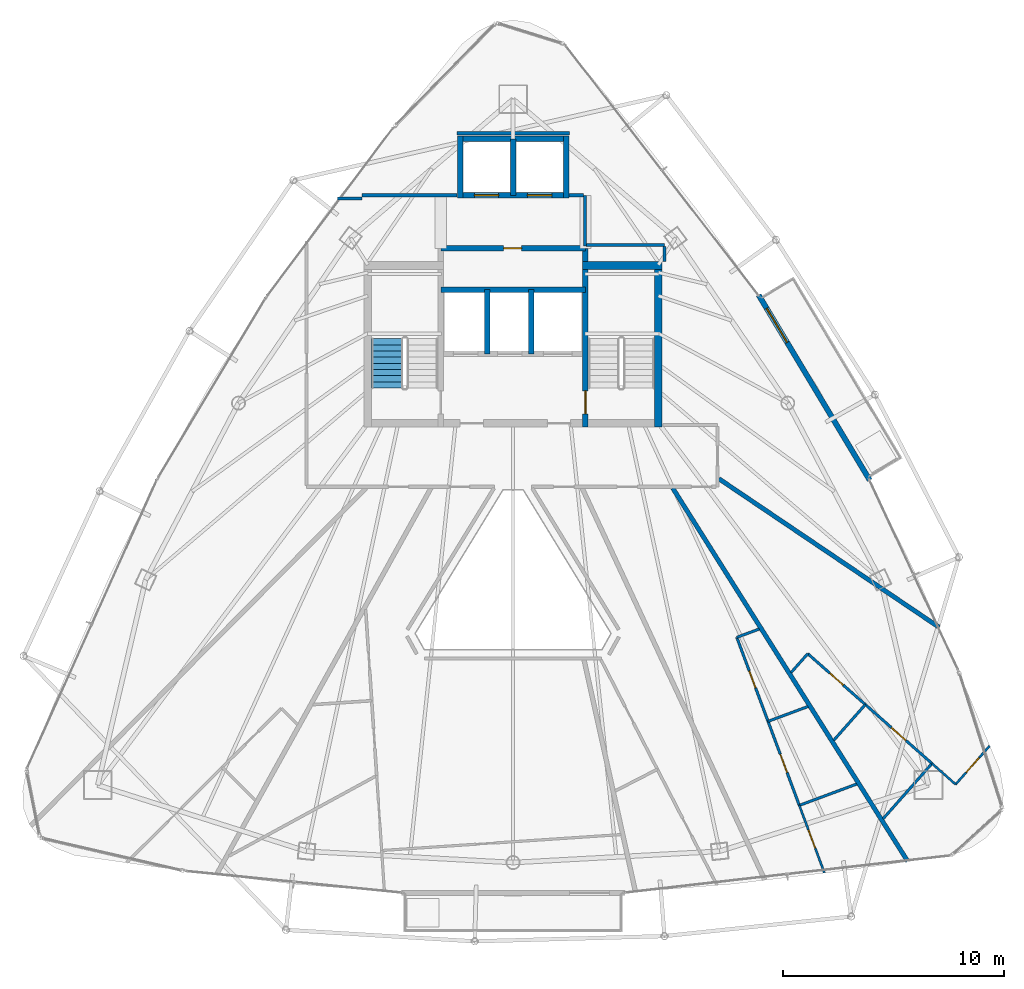
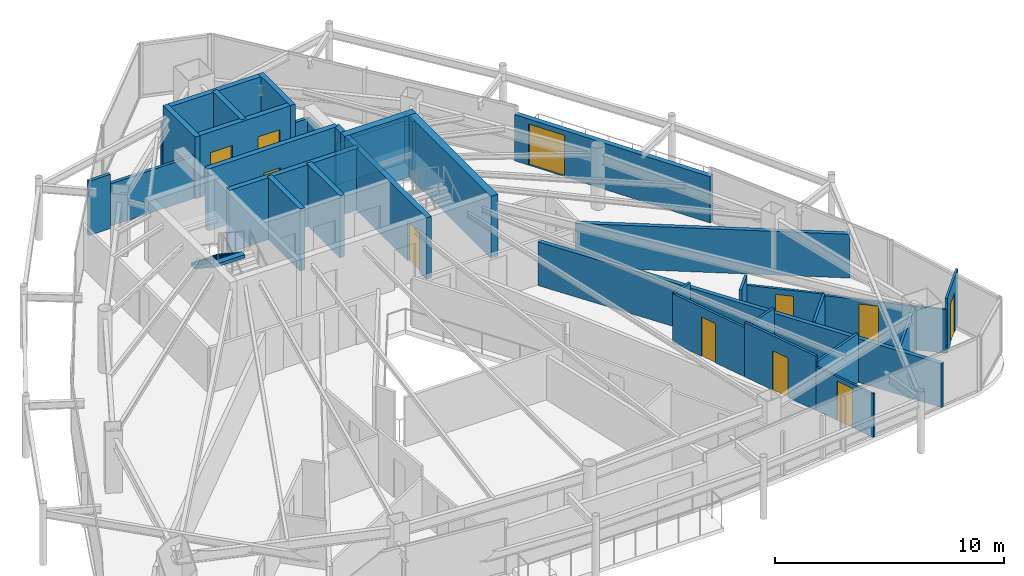
# One storey, part 26 of 29: 35 walls, 11 doors, 1 stair flight, 11 openings, 1 element without a shape of its own.
"""IFC4 building model written with IfcOpenShell, lengths in metres."""

from ifc_helpers import new_model, si_unit, direction, frame, frame_2d, origin, place, context, subcontext, project, spatial, polyline, rectangle, outline, extrude, material, layer, layer_set, type_object, element, fill, aggregate, save


model = new_model("IFC4")

# Units and contexts
model_context = context("Model", 3, precision=1e-05, world=origin(), true_north=direction((0.0, 1.0)))
body_context = subcontext(model_context, "Body", "Model", "MODEL_VIEW")
ifc_project = project(units=[si_unit("LENGTHUNIT", "METRE"), si_unit("AREAUNIT", "SQUARE_METRE"), si_unit("VOLUMEUNIT", "CUBIC_METRE"), si_unit("PLANEANGLEUNIT", "RADIAN"), si_unit("MASSUNIT", "GRAM", prefix="KILO")], contexts=[model_context])

# Site, building, storey
site_placement = place(None, origin())
site = spatial("IfcSite", under=ifc_project, at=site_placement, CompositionType="ELEMENT")
building_placement = place(site_placement, origin())
building = spatial("IfcBuilding", under=site, at=building_placement, Name="Orvanel Arch Residences", CompositionType="ELEMENT")
storey_placement = place(building_placement, frame((0.0, 0.0, 253.550048828125)))
storey = spatial("IfcBuildingStorey", under=building, at=storey_placement, Name="L72", CompositionType="ELEMENT", Elevation=253.550048828125)

# Wall, opening, door
ifc_material_1 = material(Name="Precast concrete N50 (50 MPa)", Category="concrete")
ifc_layer_1 = layer(ifc_material_1, 0.239990234375)
ifc_layer_set_1 = layer_set([ifc_layer_1], Name="Precast concrete N50 (50 MPa)")
wall_type_1 = type_object("IfcWallType", Name="EW-BAL-240", PredefinedType="SOLIDWALL", material=ifc_layer_set_1)
wall_1_placement = place(storey_placement, frame((49.14599609375, 24.14697265625, 0.0), z_axis=(0.0, 0.0, 1.0), x_axis=(-0.514275407092, 0.857625096216, 0.0)))
wall_1 = element("IfcWall", 1, at=wall_1_placement, inside=storey, type_object=wall_type_1, Name="L72 Balcony Threshold Wall Face 3", PredefinedType="SOLIDWALL", context=body_context, shape_type="SweptSolid", body=[
    extrude(rectangle(XDim=9.777099609375, YDim=0.239990234375, at=frame_2d((4.888671875, 0.0))), origin(), (0.0, 0.0, 1.0), 2.4638671875),
])
opening_1_placement = place(wall_1_placement, frame((7.279052734375, 0.0, 0.0)))
opening_1 = element("IfcOpeningElement", 2, at=opening_1_placement, cuts=wall_1, Name="Opening DB-180", PredefinedType="OPENING", context=body_context, shape_type="SweptSolid", body=[
    extrude(rectangle(XDim=1.800048828125, YDim=2.199951171875, at=frame_2d((0.89990234375, 1.10009765625))), frame((0.0, 0.1298828125, 0.0), z_axis=(0.0, -1.0, 0.0), x_axis=(1.0, 0.0, 0.0)), (0.0, 0.0, 1.0), 0.260009765625),
])
ifc_material_2 = material(Name="Bronze-anodised aluminium AA6063-T6", Category="aluminium")
door_type_1 = type_object("IfcDoorType", Name="DR-BAL-1800", OperationType="NOTDEFINED", PredefinedType="DOOR", material=ifc_material_2)
door_1_placement = place(opening_1_placement, origin())
door_1 = element("IfcDoor", 3, at=door_1_placement, inside=storey, type_object=door_type_1, Name="DR-L72-BAL-F3 L72 Planted Balcony Access Door Face 3", OperationType="SINGLE_SWING_RIGHT", OverallHeight=2.199951171875, OverallWidth=1.800048828125, PredefinedType="DOOR", context=body_context, shape_type="SweptSolid", body=[
    extrude(rectangle(XDim=1.800048828125, YDim=2.199951171875, at=frame_2d((0.89990234375, 1.10009765625))), frame((0.0, 0.02490234375, 0.0), z_axis=(0.0, -1.0, 0.0), x_axis=(1.0, 0.0, 0.0)), (0.0, 0.0, 1.0), 0.050048828125),
])
fill(opening_1, door_1)

ifc_material_3 = material(Name="Concrete N50 (50 MPa)", Category="concrete")
ifc_layer_2 = layer(ifc_material_3, 0.25)
ifc_layer_set_2 = layer_set([ifc_layer_2], Name="Concrete N50 (50 MPa)")
wall_type_2 = type_object("IfcWallType", Name="SW-CORE-250", PredefinedType="SHEAR", material=ifc_layer_set_2)
wall_2_placement = place(storey_placement, frame((36.27490234375, 26.550048828125, 0.0), z_axis=(0.0, 0.0, 1.0), x_axis=(0.0, 1.0, 0.0)))
wall_2 = element("IfcWall", 4, at=wall_2_placement, inside=storey, type_object=wall_type_2, Name="L72 East Inner Core Spine Shear Wall", PredefinedType="SHEAR", context=body_context, shape_type="SweptSolid", body=[
    extrude(rectangle(XDim=8.099853515625, YDim=0.25, at=frame_2d((4.0498046875, 0.0))), origin(), (0.0, 0.0, 1.0), 3.300048828125),
])
opening_2_placement = place(wall_2_placement, frame((0.60009765625, 0.0, 0.0)))
opening_2 = element("IfcOpeningElement", 5, at=opening_2_placement, cuts=wall_2, Name="Opening DF-120", PredefinedType="OPENING", context=body_context, shape_type="SweptSolid", body=[
    extrude(rectangle(XDim=1.050048828125, YDim=2.14990234375, at=frame_2d((0.52490234375, 1.074951171875))), frame((0.0, 0.135009765625, 0.0), z_axis=(0.0, -1.0, 0.0), x_axis=(1.0, 0.0, 0.0)), (0.0, 0.0, 1.0), 0.27001953125),
])
ifc_material_4 = material(Name="Galvanised steel fire-resisting door assembly", Category="steel")
door_type_2 = type_object("IfcDoorType", Name="DR-FD120-1050", OperationType="NOTDEFINED", PredefinedType="DOOR", material=ifc_material_4)
door_2_placement = place(opening_2_placement, origin())
door_2 = element("IfcDoor", 6, at=door_2_placement, inside=storey, type_object=door_type_2, Name="DR-L72-ST2 L72 Stair 2 Fire Door", OperationType="SINGLE_SWING_RIGHT", OverallHeight=2.14990234375, OverallWidth=1.050048828125, PredefinedType="DOOR", context=body_context, shape_type="SweptSolid", body=[
    extrude(rectangle(XDim=1.050048828125, YDim=2.14990234375, at=frame_2d((0.52490234375, 1.074951171875))), frame((0.0, 0.02490234375, 0.0), z_axis=(0.0, -1.0, 0.0), x_axis=(1.0, 0.0, 0.0)), (0.0, 0.0, 1.0), 0.050048828125),
])
fill(opening_2, door_2)

# Walls
wall_3_placement = place(storey_placement, frame((29.72509765625, 32.77490234375, 0.0), z_axis=(0.0, 0.0, 1.0), x_axis=(1.0, 0.0, 0.0)))
element("IfcWall", 7, at=wall_3_placement, inside=storey, type_object=wall_type_2, Name="L72 Emergency Lift Back Core Shear Wall", PredefinedType="SHEAR", context=body_context, shape_type="SweptSolid", body=[
    extrude(rectangle(XDim=6.5498046875, YDim=0.25, at=frame_2d((3.27490234375, 0.0))), origin(), (0.0, 0.0, 1.0), 3.300048828125),
])
for number, where, z_axis, x_axis, name in (
    (8, (31.824951171875, 29.875, 0.0), (0.0, 0.0, 1.0), (0.0, 1.0, 0.0), "L72 Emergency Lift Inter-Shaft Wall F12"),
    (9, (33.824951171875, 29.875, 0.0), (0.0, 0.0, 1.0), (0.0, 1.0, 0.0), "L72 Emergency Lift Inter-Shaft Wall F2G"),
):
    element("IfcWall", number, at=place(storey_placement, frame(where, z_axis=z_axis, x_axis=x_axis)), inside=storey, type_object=wall_type_2, Name=name, PredefinedType="SHEAR", context=body_context, shape_type="SweptSolid", body=[
        extrude(rectangle(XDim=2.89990234375, YDim=0.25, at=frame_2d((1.449951171875, 0.0))), origin(), (0.0, 0.0, 1.0), 3.300048828125),
    ])

# Wall, opening, door
wall_4_placement = place(storey_placement, frame((29.72509765625, 34.64990234375, 0.0), z_axis=(0.0, 0.0, 1.0), x_axis=(1.0, 0.0, 0.0)))
wall_4 = element("IfcWall", 10, at=wall_4_placement, inside=storey, type_object=wall_type_2, Name="L72 Core Service Band North Shear Wall", PredefinedType="SHEAR", context=body_context, shape_type="SweptSolid", body=[
    extrude(rectangle(XDim=6.5498046875, YDim=0.25, at=frame_2d((3.27490234375, 0.0))), origin(), (0.0, 0.0, 1.0), 3.300048828125),
])
opening_3_placement = place(wall_4_placement, frame((2.840087890625, 0.0, 0.0)))
opening_3 = element("IfcOpeningElement", 11, at=opening_3_placement, cuts=wall_4, Name="Opening DS-082", PredefinedType="OPENING", context=body_context, shape_type="SweptSolid", body=[
    extrude(rectangle(XDim=0.820068359375, YDim=2.10009765625, at=frame_2d((0.41015625, 1.050048828125))), frame((0.0, 0.135009765625, 0.0), z_axis=(0.0, -1.0, 0.0), x_axis=(1.0, 0.0, 0.0)), (0.0, 0.0, 1.0), 0.27001953125),
])
door_type_3 = type_object("IfcDoorType", Name="DR-SVC-820", OperationType="NOTDEFINED", PredefinedType="DOOR", material=ifc_material_4)
door_3_placement = place(opening_3_placement, origin())
door_3 = element("IfcDoor", 12, at=door_3_placement, inside=storey, type_object=door_type_3, Name="DR-L72-CSVC-1 L72 Housekeeping Linen Store Door", OperationType="SINGLE_SWING_LEFT", OverallHeight=2.10009765625, OverallWidth=0.820068359375, PredefinedType="DOOR", context=body_context, shape_type="SweptSolid", body=[
    extrude(rectangle(XDim=0.820068359375, YDim=2.10009765625, at=frame_2d((0.41015625, 1.050048828125))), frame((0.0, 0.02490234375, 0.0), z_axis=(0.0, -1.0, 0.0), x_axis=(1.0, 0.0, 0.0)), (0.0, 0.0, 1.0), 0.050048828125),
])
fill(opening_3, door_3)

# Wall, openings, doors
wall_5_placement = place(storey_placement, frame((35.52490234375, 37.050048828125, 0.0), z_axis=(0.0, 0.0, 1.0), x_axis=(-1.0, 0.0, 0.0)))
wall_5 = element("IfcWall", 13, at=wall_5_placement, inside=storey, type_object=wall_type_2, Name="L72 Passenger Lift Bank Front Shear Wall", PredefinedType="SHEAR", context=body_context, shape_type="SweptSolid", body=[
    extrude(rectangle(XDim=5.0498046875, YDim=0.25, at=frame_2d((2.52490234375, 0.0))), origin(), (0.0, 0.0, 1.0), 3.300048828125),
])
opening_4_placement = place(wall_5_placement, frame((3.175048828125, 0.0, 0.0)))
opening_4 = element("IfcOpeningElement", 14, at=opening_4_placement, cuts=wall_5, Name="Opening LD-110", PredefinedType="OPENING", context=body_context, shape_type="SweptSolid", body=[
    extrude(rectangle(XDim=1.10009765625, YDim=2.199951171875, at=frame_2d((0.550048828125, 1.10009765625))), frame((0.0, 0.135009765625, 0.0), z_axis=(0.0, -1.0, 0.0), x_axis=(1.0, 0.0, 0.0)), (0.0, 0.0, 1.0), 0.27001953125),
])
opening_5_placement = place(wall_5_placement, frame((0.77490234375, 0.0, 0.0)))
opening_5 = element("IfcOpeningElement", 15, at=opening_5_placement, cuts=wall_5, Name="Opening LD-110", PredefinedType="OPENING", context=body_context, shape_type="SweptSolid", body=[
    extrude(rectangle(XDim=1.10009765625, YDim=2.199951171875, at=frame_2d((0.550048828125, 1.10009765625))), frame((0.0, 0.135009765625, 0.0), z_axis=(0.0, -1.0, 0.0), x_axis=(1.0, 0.0, 0.0)), (0.0, 0.0, 1.0), 0.27001953125),
])
door_type_4 = type_object("IfcDoorType", Name="DR-LFT-1100", OperationType="NOTDEFINED", PredefinedType="DOOR", material=ifc_material_4)
door_4_placement = place(opening_4_placement, origin())
door_4 = element("IfcDoor", 16, at=door_4_placement, inside=storey, type_object=door_type_4, Name="LD-P5-L72 L72 Passenger Lift P5 Sliding Landing Door", OperationType="DOUBLE_DOOR_SLIDING", OverallHeight=2.199951171875, OverallWidth=1.10009765625, PredefinedType="DOOR", context=body_context, shape_type="SweptSolid", body=[
    extrude(rectangle(XDim=1.10009765625, YDim=2.199951171875, at=frame_2d((0.550048828125, 1.10009765625))), frame((0.0, 0.02490234375, 0.0), z_axis=(0.0, -1.0, 0.0), x_axis=(1.0, 0.0, 0.0)), (0.0, 0.0, 1.0), 0.050048828125),
])
fill(opening_4, door_4)
door_5_placement = place(opening_5_placement, origin())
door_5 = element("IfcDoor", 17, at=door_5_placement, inside=storey, type_object=door_type_4, Name="LD-P6-L72 L72 Passenger Lift P6 Sliding Landing Door", OperationType="DOUBLE_DOOR_SLIDING", OverallHeight=2.199951171875, OverallWidth=1.10009765625, PredefinedType="DOOR", context=body_context, shape_type="SweptSolid", body=[
    extrude(rectangle(XDim=1.10009765625, YDim=2.199951171875, at=frame_2d((0.550048828125, 1.10009765625))), frame((0.0, 0.02490234375, 0.0), z_axis=(0.0, -1.0, 0.0), x_axis=(1.0, 0.0, 0.0)), (0.0, 0.0, 1.0), 0.050048828125),
])
fill(opening_5, door_5)

# Walls
wall_6_placement = place(storey_placement, frame((30.47509765625, 39.60009765625, 0.0), z_axis=(0.0, 0.0, 1.0), x_axis=(1.0, 0.0, 0.0)))
element("IfcWall", 18, at=wall_6_placement, inside=storey, type_object=wall_type_2, Name="L72 Passenger Lift Bank North Shear Wall", PredefinedType="SHEAR", context=body_context, shape_type="SweptSolid", body=[
    extrude(rectangle(XDim=5.0498046875, YDim=0.25, at=frame_2d((2.52490234375, 0.0))), origin(), (0.0, 0.0, 1.0), 3.300048828125),
])
for number, where, z_axis, x_axis, name in (
    (19, (30.60009765625, 36.925048828125, 0.0), (0.0, 0.0, 1.0), (0.0, 1.0, 0.0), "L72 Passenger Lift Bank West Shear Wall"),
    (20, (35.39990234375, 36.925048828125, 0.0), (0.0, 0.0, 1.0), (0.0, 1.0, 0.0), "L72 Passenger Lift Bank East Shear Wall"),
):
    element("IfcWall", number, at=place(storey_placement, frame(where, z_axis=z_axis, x_axis=x_axis)), inside=storey, type_object=wall_type_2, Name=name, PredefinedType="SHEAR", context=body_context, shape_type="SweptSolid", body=[
        extrude(rectangle(XDim=2.800048828125, YDim=0.25, at=frame_2d((1.39990234375, 0.0))), origin(), (0.0, 0.0, 1.0), 3.300048828125),
    ])
wall_7_placement = place(storey_placement, frame((33.0, 37.050048828125, 0.0), z_axis=(0.0, 0.0, 1.0), x_axis=(0.0, 1.0, 0.0)))
element("IfcWall", 21, at=wall_7_placement, inside=storey, type_object=wall_type_2, Name="L72 Passenger Lift Inter-Shaft Wall P56", PredefinedType="SHEAR", context=body_context, shape_type="SweptSolid", body=[
    extrude(rectangle(XDim=2.550048828125, YDim=0.25, at=frame_2d((1.27490234375, 0.0))), origin(), (0.0, 0.0, 1.0), 3.300048828125),
])
ifc_layer_3 = layer(ifc_material_3, 0.35009765625)
ifc_layer_set_3 = layer_set([ifc_layer_3], Name="Concrete N50 (50 MPa)")
wall_type_3 = type_object("IfcWallType", Name="SW-CORE-350", PredefinedType="SHEAR", material=ifc_layer_set_3)
wall_8_placement = place(storey_placement, frame((39.574951171875, 26.550048828125, 0.0), z_axis=(0.0, 0.0, 1.0), x_axis=(0.0, 1.0, 0.0)))
element("IfcWall", 22, at=wall_8_placement, inside=storey, type_object=wall_type_3, Name="L72 East Stair Shear Wall", PredefinedType="SHEAR", context=body_context, shape_type="SweptSolid", body=[
    extrude(rectangle(XDim=7.5, YDim=0.35009765625, at=frame_2d((3.75, 0.0))), origin(), (0.0, 0.0, 1.0), 3.300048828125),
])
wall_9_placement = place(storey_placement, frame((36.14990234375, 33.875, 0.0), z_axis=(0.0, 0.0, 1.0), x_axis=(1.0, 0.0, 0.0)))
element("IfcWall", 23, at=wall_9_placement, inside=storey, type_object=wall_type_3, Name="L72 East Stair North Shear Wall", PredefinedType="SHEAR", context=body_context, shape_type="SweptSolid", body=[
    extrude(rectangle(XDim=3.60009765625, YDim=0.35009765625, at=frame_2d((1.800048828125, 0.0))), origin(), (0.0, 0.0, 1.0), 3.300048828125),
])
ifc_material_5 = material(Name="Fire-rated plasterboard lined steel stud partition", Category="steel")
ifc_layer_4 = layer(ifc_material_5, 0.14990234375)
ifc_layer_set_4 = layer_set([ifc_layer_4], Name="Fire-rated plasterboard lined steel stud partition")
wall_type_4 = type_object("IfcWallType", Name="W-COR-150", PredefinedType="PARTITIONING", material=ifc_layer_set_4)
wall_10_placement = place(storey_placement, frame((36.25, 34.760009765625, 0.0), z_axis=(0.0, 0.0, 1.0), x_axis=(0.0, 1.0, 0.0)))
element("IfcWall", 24, at=wall_10_placement, inside=storey, type_object=wall_type_4, Name="L72 Passenger Lift Lobby East Closure Wall", PredefinedType="PARTITIONING", context=body_context, shape_type="SweptSolid", body=[
    extrude(rectangle(XDim=2.2900390625, YDim=0.14990234375, at=frame_2d((1.14501953125, 0.0))), origin(), (0.0, 0.0, 1.0), 2.264892578125),
])
wall_11_placement = place(storey_placement, frame((35.52490234375, 37.050048828125, 0.0), z_axis=(0.0, 0.0, 1.0), x_axis=(1.0, 0.0, 0.0)))
element("IfcWall", 25, at=wall_11_placement, inside=storey, type_object=wall_type_4, Name="L72 Passenger Lift Lobby North-East Wall", PredefinedType="PARTITIONING", context=body_context, shape_type="SweptSolid", body=[
    extrude(rectangle(XDim=0.6650390625, YDim=0.14990234375, at=frame_2d((0.33251953125, 0.0))), origin(), (0.0, 0.0, 1.0), 2.264892578125),
])
wall_12_placement = place(storey_placement, frame((25.05810546875, 36.89990234375, 0.0), z_axis=(0.0, 0.0, 1.0), x_axis=(1.0, 0.0, 0.0)))
element("IfcWall", 26, at=wall_12_placement, inside=storey, type_object=wall_type_4, Name="L72 Corridor Fire-Rated Partition", PredefinedType="PARTITIONING", context=body_context, shape_type="SweptSolid", body=[
    extrude(rectangle(XDim=1.091796875, YDim=0.14990234375, at=frame_2d((0.5458984375, 0.0))), origin(), (0.0, 0.0, 1.0), 2.89990234375),
])
wall_13_placement = place(storey_placement, frame((26.14990234375, 37.050048828125, 0.0), z_axis=(0.0, 0.0, 1.0), x_axis=(1.0, 0.0, 0.0)))
element("IfcWall", 27, at=wall_13_placement, inside=storey, type_object=wall_type_4, Name="L72 Core Perimeter Partition", PredefinedType="PARTITIONING", context=body_context, shape_type="SweptSolid", body=[
    extrude(rectangle(XDim=4.300048828125, YDim=0.14990234375, at=frame_2d((2.14990234375, 0.0))), origin(), (0.0, 0.0, 1.0), 2.264892578125),
])
wall_14_placement = place(storey_placement, frame((30.449951171875, 39.85009765625, 0.0), z_axis=(0.0, 0.0, 1.0), x_axis=(1.0, 0.0, 0.0)))
element("IfcWall", 28, at=wall_14_placement, inside=storey, type_object=wall_type_4, Name="L72 Core Perimeter Partition", PredefinedType="PARTITIONING", context=body_context, shape_type="SweptSolid", body=[
    extrude(rectangle(XDim=5.10009765625, YDim=0.14990234375, at=frame_2d((2.550048828125, 0.0))), origin(), (0.0, 0.0, 1.0), 2.33203125),
])
wall_15_placement = place(storey_placement, frame((36.31005859375, 34.800048828125, 0.0), z_axis=(0.0, 0.0, 1.0), x_axis=(1.0, 0.0, 0.0)))
element("IfcWall", 29, at=wall_15_placement, inside=storey, type_object=wall_type_4, Name="L72 Core Perimeter Partition", PredefinedType="PARTITIONING", context=body_context, shape_type="SweptSolid", body=[
    extrude(rectangle(XDim=3.5400390625, YDim=0.14990234375, at=frame_2d((1.77001953125, 0.0))), origin(), (0.0, 0.0, 1.0), 2.264892578125),
])
wall_16_placement = place(storey_placement, frame((39.85009765625, 34.739990234375, 0.0), z_axis=(0.0, 0.0, 1.0), x_axis=(0.0, -1.0, 0.0)))
element("IfcWall", 30, at=wall_16_placement, inside=storey, type_object=wall_type_4, Name="L72 Core Perimeter Partition", PredefinedType="PARTITIONING", context=body_context, shape_type="SweptSolid", body=[
    extrude(rectangle(XDim=0.68994140625, YDim=0.14990234375, at=frame_2d((0.344970703125, 0.0))), origin(), (0.0, 0.0, 1.0), 2.613037109375),
])
ifc_layer_5 = layer(ifc_material_5, 0.199951171875)
ifc_layer_set_5 = layer_set([ifc_layer_5], Name="Fire-rated plasterboard lined steel stud partition")
wall_type_5 = type_object("IfcWallType", Name="W-DEM-200", PredefinedType="PARTITIONING", material=ifc_layer_set_5)
wall_17_placement = place(storey_placement, frame((52.283935546875, 17.492919921875, 0.0), z_axis=(0.0, 0.0, 1.0), x_axis=(-0.829053532208, 0.559169241584, 0.0)))
element("IfcWall", 31, at=wall_17_placement, inside=storey, type_object=wall_type_5, Name="L72 Inter-Tenancy Acoustic Demising Wall", PredefinedType="PARTITIONING", context=body_context, shape_type="SweptSolid", body=[
    extrude(rectangle(XDim=12.030517578125, YDim=0.199951171875, at=frame_2d((6.01513671875, 0.0))), origin(), (0.0, 0.0, 1.0), 2.33203125),
])
wall_18_placement = place(storey_placement, frame((50.863037109375, 6.89892578125, 0.0), z_axis=(0.0, 0.0, 1.0), x_axis=(-0.532843438342, 0.846213844259, 0.0)))
element("IfcWall", 32, at=wall_18_placement, inside=storey, type_object=wall_type_5, Name="L72 Inter-Tenancy Acoustic Demising Wall", PredefinedType="PARTITIONING", context=body_context, shape_type="SweptSolid", body=[
    extrude(rectangle(XDim=19.960693359375, YDim=0.199951171875, at=frame_2d((9.98046875, 0.0))), origin(), (0.0, 0.0, 1.0), 2.33203125),
])

# Wall, opening, door
ifc_material_6 = material(Name="Acoustic plasterboard lined twin-stud partition", Category="gypsum")
ifc_layer_6 = layer(ifc_material_6, 0.10009765625)
ifc_layer_set_6 = layer_set([ifc_layer_6], Name="Acoustic plasterboard lined twin-stud partition")
wall_type_6 = type_object("IfcWallType", Name="W-INT-100", PredefinedType="PARTITIONING", material=ifc_layer_set_6)
wall_19_placement = place(storey_placement, frame((54.56689453125, 12.1220703125, 0.0), z_axis=(0.0, 0.0, 1.0), x_axis=(-0.662212906575, -0.749315732095, 0.0)))
wall_19 = element("IfcWall", 33, at=wall_19_placement, inside=storey, type_object=wall_type_6, Name="L72 Studio E Internal Partition", PredefinedType="PARTITIONING", context=body_context, shape_type="SweptSolid", body=[
    extrude(rectangle(XDim=2.32080078125, YDim=0.10009765625, at=frame_2d((1.160400390625, 0.0))), origin(), (0.0, 0.0, 1.0), 2.89990234375),
])
opening_6_placement = place(wall_19_placement, frame((0.719970703125, 0.0, 0.0)))
opening_6 = element("IfcOpeningElement", 34, at=opening_6_placement, cuts=wall_19, Name="Opening DI-088", PredefinedType="OPENING", context=body_context, shape_type="SweptSolid", body=[
    extrude(rectangle(XDim=0.8798828125, YDim=2.10009765625, at=frame_2d((0.43994140625, 1.050048828125))), frame((0.0, 0.06005859375, 0.0), z_axis=(0.0, -1.0, 0.0), x_axis=(1.0, 0.0, 0.0)), (0.0, 0.0, 1.0), 0.1201171875),
])
ifc_material_7 = material(Name="Solid-core European oak veneer fire door leaf", Category="wood")
door_type_5 = type_object("IfcDoorType", Name="DR-INT-880", OperationType="NOTDEFINED", PredefinedType="DOOR", material=ifc_material_7)
door_6_placement = place(opening_6_placement, origin())
door_6 = element("IfcDoor", 35, at=door_6_placement, inside=storey, type_object=door_type_5, Name="DR-L72-E-DIN1 L72 Studio E Dining Room 1 Door", OperationType="SINGLE_SWING_LEFT", OverallHeight=2.10009765625, OverallWidth=0.8798828125, PredefinedType="DOOR", context=body_context, shape_type="SweptSolid", body=[
    extrude(rectangle(XDim=0.8798828125, YDim=2.10009765625, at=frame_2d((0.43994140625, 1.050048828125))), frame((0.0, 0.02490234375, 0.0), z_axis=(0.0, -1.0, 0.0), x_axis=(1.0, 0.0, 0.0)), (0.0, 0.0, 1.0), 0.050048828125),
])
fill(opening_6, door_6)

# Wall
wall_20_placement = place(storey_placement, frame((53.030029296875, 10.383056640625, 0.0), z_axis=(0.0, 0.0, 1.0), x_axis=(-0.749313288423, 0.66221567166, 0.0)))
element("IfcWall", 36, at=wall_20_placement, inside=storey, type_object=wall_type_6, Name="L72 Studio E Internal Partition", PredefinedType="PARTITIONING", context=body_context, shape_type="SweptSolid", body=[
    extrude(rectangle(XDim=1.4267578125, YDim=0.10009765625, at=frame_2d((0.71337890625, 0.0))), origin(), (0.0, 0.0, 1.0), 2.33203125),
])

# Wall, opening, door
wall_21_placement = place(storey_placement, frame((45.955078125, 9.431884765625, 0.0), z_axis=(0.0, 0.0, 1.0), x_axis=(0.34888547359, -0.937165367647, 0.0)))
wall_21 = element("IfcWall", 37, at=wall_21_placement, inside=storey, type_object=wall_type_6, Name="L72 Studio F Internal Partition", PredefinedType="PARTITIONING", context=body_context, shape_type="SweptSolid", body=[
    extrude(rectangle(XDim=3.253173828125, YDim=0.10009765625, at=frame_2d((1.62646484375, 0.0))), origin(), (0.0, 0.0, 1.0), 2.33203125),
])
opening_7_placement = place(wall_21_placement, frame((1.18701171875, 0.0, 0.0)))
opening_7 = element("IfcOpeningElement", 38, at=opening_7_placement, cuts=wall_21, Name="Opening DI-088", PredefinedType="OPENING", context=body_context, shape_type="SweptSolid", body=[
    extrude(rectangle(XDim=0.8798828125, YDim=2.10009765625, at=frame_2d((0.43994140625, 1.050048828125))), frame((0.0, 0.06005859375, 0.0), z_axis=(0.0, -1.0, 0.0), x_axis=(1.0, 0.0, 0.0)), (0.0, 0.0, 1.0), 0.1201171875),
])
door_7_placement = place(opening_7_placement, origin())
door_7 = element("IfcDoor", 39, at=door_7_placement, inside=storey, type_object=door_type_5, Name="DR-L72-F-DIN1 L72 Studio F Dining Room 1 Door", OperationType="SINGLE_SWING_LEFT", OverallHeight=2.10009765625, OverallWidth=0.8798828125, PredefinedType="DOOR", context=body_context, shape_type="SweptSolid", body=[
    extrude(rectangle(XDim=0.8798828125, YDim=2.10009765625, at=frame_2d((0.43994140625, 1.050048828125))), frame((0.0, 0.02490234375, 0.0), z_axis=(0.0, -1.0, 0.0), x_axis=(1.0, 0.0, 0.0)), (0.0, 0.0, 1.0), 0.050048828125),
])
fill(opening_7, door_7)

ifc_layer_7 = layer(ifc_material_6, 0.1201171875)
ifc_layer_set_7 = layer_set([ifc_layer_7], Name="Acoustic plasterboard lined twin-stud partition")
wall_type_7 = type_object("IfcWallType", Name="W-WET-120", PredefinedType="PARTITIONING", material=ifc_layer_set_7)
wall_22_placement = place(storey_placement, frame((48.943115234375, 13.9951171875, 0.0), z_axis=(0.0, 0.0, 1.0), x_axis=(-0.749231040751, 0.662308725275, 0.0)))
wall_22 = element("IfcWall", 40, at=wall_22_placement, inside=storey, type_object=wall_type_7, Name="L72 Studio E Bathroom Partition", PredefinedType="PARTITIONING", context=body_context, shape_type="SweptSolid", body=[
    extrude(rectangle(XDim=3.477294921875, YDim=0.1201171875, at=frame_2d((1.73876953125, 0.0))), origin(), (0.0, 0.0, 1.0), 2.405029296875),
])
opening_8_placement = place(wall_22_placement, frame((1.3291015625, 0.0, 0.0)))
opening_8 = element("IfcOpeningElement", 41, at=opening_8_placement, cuts=wall_22, Name="Opening DW-082", PredefinedType="OPENING", context=body_context, shape_type="SweptSolid", body=[
    extrude(rectangle(XDim=0.820068359375, YDim=2.10009765625, at=frame_2d((0.41015625, 1.050048828125))), frame((0.0, 0.070068359375, 0.0), z_axis=(0.0, -1.0, 0.0), x_axis=(1.0, 0.0, 0.0)), (0.0, 0.0, 1.0), 0.14013671875),
])
door_type_6 = type_object("IfcDoorType", Name="DR-WET-820", OperationType="NOTDEFINED", PredefinedType="DOOR", material=ifc_material_7)
door_8_placement = place(opening_8_placement, origin())
door_8 = element("IfcDoor", 42, at=door_8_placement, inside=storey, type_object=door_type_6, Name="DR-L72-E-BATH L72 Studio E Bathroom Door", OperationType="SINGLE_SWING_RIGHT", OverallHeight=2.10009765625, OverallWidth=0.820068359375, PredefinedType="DOOR", context=body_context, shape_type="SweptSolid", body=[
    extrude(rectangle(XDim=0.820068359375, YDim=2.10009765625, at=frame_2d((0.41015625, 1.050048828125))), frame((0.0, 0.02490234375, 0.0), z_axis=(0.0, -1.0, 0.0), x_axis=(1.0, 0.0, 0.0)), (0.0, 0.0, 1.0), 0.050048828125),
])
fill(opening_8, door_8)

# Wall
wall_23_placement = place(storey_placement, frame((46.337890625, 16.298095703125, 0.0), z_axis=(0.0, 0.0, 1.0), x_axis=(-0.662287293934, -0.749249985181, 0.0)))
element("IfcWall", 43, at=wall_23_placement, inside=storey, type_object=wall_type_7, Name="L72 Studio E Bathroom Partition", PredefinedType="PARTITIONING", context=body_context, shape_type="SweptSolid", body=[
    extrude(rectangle(XDim=1.139892578125, YDim=0.1201171875, at=frame_2d((0.56982421875, 0.0))), origin(), (0.0, 0.0, 1.0), 2.89990234375),
])

# Wall, opening, door
wall_24_placement = place(storey_placement, frame((51.9609375, 11.327880859375, 0.0), z_axis=(0.0, 0.0, 1.0), x_axis=(-0.749289212621, 0.662242913024, 0.0)))
wall_24 = element("IfcWall", 44, at=wall_24_placement, inside=storey, type_object=wall_type_7, Name="L72 Studio E Internal Partition", PredefinedType="PARTITIONING", context=body_context, shape_type="SweptSolid", body=[
    extrude(rectangle(XDim=4.027587890625, YDim=0.1201171875, at=frame_2d((2.013671875, 0.0))), origin(), (0.0, 0.0, 1.0), 2.33203125),
])
opening_9_placement = place(wall_24_placement, frame((1.573974609375, 0.0, 0.0)))
opening_9 = element("IfcOpeningElement", 45, at=opening_9_placement, cuts=wall_24, Name="Opening DI-088", PredefinedType="OPENING", context=body_context, shape_type="SweptSolid", body=[
    extrude(rectangle(XDim=0.8798828125, YDim=2.10009765625, at=frame_2d((0.43994140625, 1.050048828125))), frame((0.0, 0.070068359375, 0.0), z_axis=(0.0, -1.0, 0.0), x_axis=(1.0, 0.0, 0.0)), (0.0, 0.0, 1.0), 0.14013671875),
])
door_9_placement = place(opening_9_placement, origin())
door_9 = element("IfcDoor", 46, at=door_9_placement, inside=storey, type_object=door_type_5, Name="DR-L72-E-KIT L72 Studio E Kitchenette Door", OperationType="SINGLE_SWING_LEFT", OverallHeight=2.10009765625, OverallWidth=0.8798828125, PredefinedType="DOOR", context=body_context, shape_type="SweptSolid", body=[
    extrude(rectangle(XDim=0.8798828125, YDim=2.10009765625, at=frame_2d((0.43994140625, 1.050048828125))), frame((0.0, 0.02490234375, 0.0), z_axis=(0.0, -1.0, 0.0), x_axis=(1.0, 0.0, 0.0)), (0.0, 0.0, 1.0), 0.050048828125),
])
fill(opening_9, door_9)

# Walls
wall_25_placement = place(storey_placement, frame((48.943115234375, 13.9951171875, 0.0), z_axis=(0.0, 0.0, 1.0), x_axis=(-0.662212567735, -0.749316031547, 0.0)))
element("IfcWall", 47, at=wall_25_placement, inside=storey, type_object=wall_type_7, Name="L72 Studio E Bathroom Partition", PredefinedType="PARTITIONING", context=body_context, shape_type="SweptSolid", body=[
    extrude(rectangle(XDim=2.158203125, YDim=0.1201171875, at=frame_2d((1.0791015625, 0.0))), origin(), (0.0, 0.0, 1.0), 2.405029296875),
])
wall_26_placement = place(storey_placement, frame((51.9609375, 11.327880859375, 0.0), z_axis=(0.0, 0.0, 1.0), x_axis=(-0.662327669466, -0.74921429395, 0.0)))
element("IfcWall", 48, at=wall_26_placement, inside=storey, type_object=wall_type_7, Name="L72 Studio E Internal Partition", PredefinedType="PARTITIONING", context=body_context, shape_type="SweptSolid", body=[
    extrude(rectangle(XDim=3.338134765625, YDim=0.1201171875, at=frame_2d((1.6689453125, 0.0))), origin(), (0.0, 0.0, 1.0), 2.33203125),
])
wall_27_placement = place(storey_placement, frame((44.14111328125, 17.4150390625, 0.0), z_axis=(0.0, 0.0, 1.0), x_axis=(-0.937563848777, -0.347813210599, 0.0)))
element("IfcWall", 49, at=wall_27_placement, inside=storey, type_object=wall_type_7, Name="L72 Studio F Bathroom Partition", PredefinedType="PARTITIONING", context=body_context, shape_type="SweptSolid", body=[
    extrude(rectangle(XDim=1.083740234375, YDim=0.1201171875, at=frame_2d((0.5419921875, 0.0))), origin(), (0.0, 0.0, 1.0), 2.613037109375),
])

# Wall, opening, door
wall_28_placement = place(storey_placement, frame((43.125, 17.0380859375, 0.0), z_axis=(0.0, 0.0, 1.0), x_axis=(0.348728795746, -0.937223680355, 0.0)))
wall_28 = element("IfcWall", 50, at=wall_28_placement, inside=storey, type_object=wall_type_7, Name="L72 Studio F Bathroom Partition", PredefinedType="PARTITIONING", context=body_context, shape_type="SweptSolid", body=[
    extrude(rectangle(XDim=4.0576171875, YDim=0.1201171875, at=frame_2d((2.02880859375, 0.0))), origin(), (0.0, 0.0, 1.0), 2.613037109375),
])
opening_10_placement = place(wall_28_placement, frame((1.618896484375, 0.0, 0.0)))
opening_10 = element("IfcOpeningElement", 51, at=opening_10_placement, cuts=wall_28, Name="Opening DW-082", PredefinedType="OPENING", context=body_context, shape_type="SweptSolid", body=[
    extrude(rectangle(XDim=0.820068359375, YDim=2.10009765625, at=frame_2d((0.41015625, 1.050048828125))), frame((0.0, 0.070068359375, 0.0), z_axis=(0.0, -1.0, 0.0), x_axis=(1.0, 0.0, 0.0)), (0.0, 0.0, 1.0), 0.14013671875),
])
door_10_placement = place(opening_10_placement, origin())
door_10 = element("IfcDoor", 52, at=door_10_placement, inside=storey, type_object=door_type_6, Name="DR-L72-F-BATH L72 Studio F Bathroom Door", OperationType="SINGLE_SWING_RIGHT", OverallHeight=2.10009765625, OverallWidth=0.820068359375, PredefinedType="DOOR", context=body_context, shape_type="SweptSolid", body=[
    extrude(rectangle(XDim=0.820068359375, YDim=2.10009765625, at=frame_2d((0.41015625, 1.050048828125))), frame((0.0, 0.02490234375, 0.0), z_axis=(0.0, -1.0, 0.0), x_axis=(1.0, 0.0, 0.0)), (0.0, 0.0, 1.0), 0.050048828125),
])
fill(opening_10, door_10)

wall_29_placement = place(storey_placement, frame((44.5400390625, 13.235107421875, 0.0), z_axis=(0.0, 0.0, 1.0), x_axis=(0.348709131935, -0.937230996769, 0.0)))
wall_29 = element("IfcWall", 53, at=wall_29_placement, inside=storey, type_object=wall_type_7, Name="L72 Studio F Internal Partition", PredefinedType="PARTITIONING", context=body_context, shape_type="SweptSolid", body=[
    extrude(rectangle(XDim=4.057861328125, YDim=0.1201171875, at=frame_2d((2.02880859375, 0.0))), origin(), (0.0, 0.0, 1.0), 2.89990234375),
])
opening_11_placement = place(wall_29_placement, frame((1.589111328125, 0.0, 0.0)))
opening_11 = element("IfcOpeningElement", 54, at=opening_11_placement, cuts=wall_29, Name="Opening DI-088", PredefinedType="OPENING", context=body_context, shape_type="SweptSolid", body=[
    extrude(rectangle(XDim=0.8798828125, YDim=2.10009765625, at=frame_2d((0.43994140625, 1.050048828125))), frame((0.0, 0.070068359375, 0.0), z_axis=(0.0, -1.0, 0.0), x_axis=(1.0, 0.0, 0.0)), (0.0, 0.0, 1.0), 0.14013671875),
])
door_11_placement = place(opening_11_placement, origin())
door_11 = element("IfcDoor", 55, at=door_11_placement, inside=storey, type_object=door_type_5, Name="DR-L72-F-KIT L72 Studio F Kitchenette Door", OperationType="SINGLE_SWING_LEFT", OverallHeight=2.10009765625, OverallWidth=0.8798828125, PredefinedType="DOOR", context=body_context, shape_type="SweptSolid", body=[
    extrude(rectangle(XDim=0.8798828125, YDim=2.10009765625, at=frame_2d((0.43994140625, 1.050048828125))), frame((0.0, 0.02490234375, 0.0), z_axis=(0.0, -1.0, 0.0), x_axis=(1.0, 0.0, 0.0)), (0.0, 0.0, 1.0), 0.050048828125),
])
fill(opening_11, door_11)

# Walls
wall_30_placement = place(storey_placement, frame((46.34912109375, 13.907958984375, 0.0), z_axis=(0.0, 0.0, 1.0), x_axis=(-0.937271835507, -0.348599349347, 0.0)))
element("IfcWall", 56, at=wall_30_placement, inside=storey, type_object=wall_type_7, Name="L72 Studio F Bathroom Partition", PredefinedType="PARTITIONING", context=body_context, shape_type="SweptSolid", body=[
    extrude(rectangle(XDim=1.93017578125, YDim=0.1201171875, at=frame_2d((0.965087890625, 0.0))), origin(), (0.0, 0.0, 1.0), 2.613037109375),
])
wall_31_placement = place(storey_placement, frame((48.55810546875, 10.39990234375, 0.0), z_axis=(0.0, 0.0, 1.0), x_axis=(-0.937286649549, -0.34855951655, 0.0)))
element("IfcWall", 57, at=wall_31_placement, inside=storey, type_object=wall_type_7, Name="L72 Studio F Internal Partition", PredefinedType="PARTITIONING", context=body_context, shape_type="SweptSolid", body=[
    extrude(rectangle(XDim=2.777099609375, YDim=0.1201171875, at=frame_2d((1.388671875, 0.0))), origin(), (0.0, 0.0, 1.0), 2.613037109375),
])

# Stair, stair flight
stair_type = type_object("IfcStairType", Name="STR-DOG-184", PredefinedType="USERDEFINED", material=ifc_material_1)
stair_placement = place(storey_placement, origin())
stair = element("IfcStair", 58, at=stair_placement, inside=storey, type_object=stair_type, Name="L72 Fire-Isolated Core Exit Stair 1", ObjectType="TWO_RETURN_STAIR", PredefinedType="USERDEFINED")
stair_flight_type = type_object("IfcStairFlightType", Name="SFL-C1-184", PredefinedType="STRAIGHT", material=ifc_material_1)
stair_flight_placement = place(storey_placement, frame((27.31005859375, 30.56005859375, 1.64990234375), z_axis=(0.0, 0.0, 1.0), x_axis=(0.0, -1.0, 0.0)))
stair_flight = element("IfcStairFlight", 59, at=stair_flight_placement, type_object=stair_flight_type, Name="ST-1 flight 2", NumberOfRisers=9, NumberOfTreads=8, PredefinedType="STRAIGHT", RiserHeight=0.183333333, TreadLength=0.28, context=body_context, shape_type="SweptSolid", body=[
    extrude(outline(polyline([(0.0, 0.0), (0.0, 0.183349609375), (0.280029296875, 0.183349609375), (0.280029296875, 0.36669921875), (0.56005859375, 0.36669921875), (0.56005859375, 0.550048828125), (0.840087890625, 0.550048828125), (0.840087890625, 0.7333984375), (1.1201171875, 0.7333984375), (1.1201171875, 0.916748046875), (1.39990234375, 0.916748046875), (1.39990234375, 1.10009765625), (1.679931640625, 1.10009765625), (1.679931640625, 1.283447265625), (1.9599609375, 1.283447265625), (1.9599609375, 1.466552734375), (2.239990234375, 1.466552734375), (2.239990234375, 1.64990234375), (2.239990234375, 1.28759765625), (0.273681640625, 0.0), (0.0, 0.0)])), frame((0.0, 0.7099609375, 0.0), z_axis=(0.0, -1.0, 0.0), x_axis=(1.0, 0.0, 0.0)), (0.0, 0.0, 1.0), 1.419921875),
])
aggregate(stair, [stair_flight])

save(model, "model.ifc")
